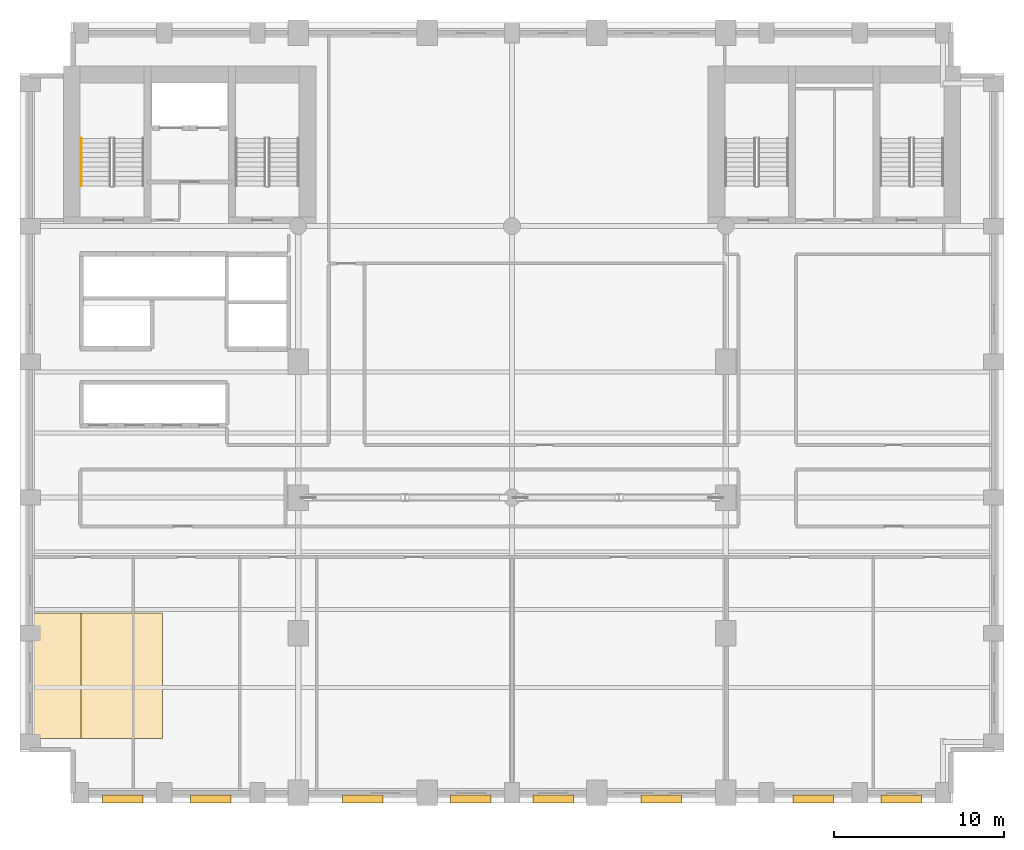
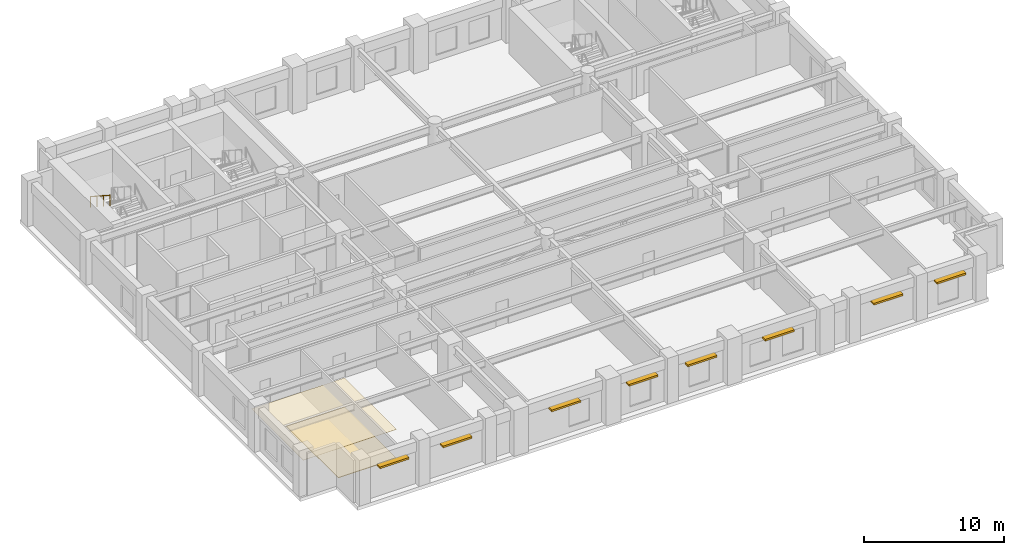
# One storey, part 9 of 11: 8 shading devices, 2 coverings, 1 railing.
"""IFC4 building model written with IfcOpenShell, lengths in metres."""

import ifcopenshell
import ifcopenshell.guid

model = None  # the IFC model being written
_history = None  # IfcOwnerHistory: only IFC2X3 demands one
_inside = {}  # id of a spatial element -> (the spatial element, [elements in it])
_under = {}  # id of a project, library or spatial element -> (it, [spatial elements below it])
_declared = {}  # id of a project -> (the project, [libraries it declares])
_typed = {}  # id of a type object -> (the type object, [elements of that type])
_made_of = {}  # id of a material, layer set ... -> (it, [elements and type objects made of it])


def new_model(schema):
    """Start an empty IFC model of exactly this schema.

    Asked for "IFC4X3", IfcOpenShell would pick the latest addendum, in which some entities
    have other attributes; the version numbers below select the first issue.
    IFC2X3 requires an IfcOwnerHistory on every rooted entity: one is made here for all.
    """
    global model, _history
    if schema == "IFC4X3":
        model = ifcopenshell.file(schema_version=(4, 3, 0, 0))
    else:
        model = ifcopenshell.file(schema=schema)
    _inside.clear()
    _under.clear()
    _declared.clear()
    _typed.clear()
    _made_of.clear()
    _history = None
    if model.schema == "IFC2X3":
        org = make("IfcOrganization", Name="unknown")
        user = make(
            "IfcPersonAndOrganization",
            ThePerson=make("IfcPerson", FamilyName="unknown"),
            TheOrganization=org,
        )
        app = make(
            "IfcApplication",
            ApplicationDeveloper=org,
            Version="unknown",
            ApplicationFullName="unknown",
            ApplicationIdentifier="unknown",
        )
        _history = make(
            "IfcOwnerHistory",
            OwningUser=user,
            OwningApplication=app,
            ChangeAction="ADDED",
            CreationDate=0,
        )
    return model


def make(cls, **values):
    """One entity of the class cls with the attributes given. An attribute that is None is left unset."""
    return model.create_entity(
        cls, **{name: value for name, value in values.items() if value is not None}
    )


def rooted(cls, **values):
    """An entity with a GlobalId (a new one), such as an element, a storey or a relation."""
    return make(cls, GlobalId=ifcopenshell.guid.new(), OwnerHistory=_history, **values)


def si_unit(unit_type, name, prefix=None):
    """IfcSIUnit, for example si_unit("LENGTHUNIT", "METRE", prefix="MILLI")."""
    return make("IfcSIUnit", UnitType=unit_type, Prefix=prefix, Name=name)


def assignment(units):
    """IfcUnitAssignment: the units of a project."""
    return None if units is None else make("IfcUnitAssignment", Units=units)


def point(xyz):
    """IfcCartesianPoint."""
    return None if xyz is None else make("IfcCartesianPoint", Coordinates=xyz)


def direction(xyz):
    """IfcDirection."""
    return None if xyz is None else make("IfcDirection", DirectionRatios=xyz)


def frame(location, z_axis=None, x_axis=None):
    """IfcAxis2Placement3D, a coordinate frame: its origin and axes. An axis left out is left unset."""
    return make(
        "IfcAxis2Placement3D",
        Location=point(location),
        Axis=direction(z_axis),
        RefDirection=direction(x_axis),
    )


def frame_2d(location, x_axis=None):
    """IfcAxis2Placement2D, a coordinate frame in the plane: its origin and x axis."""
    return make(
        "IfcAxis2Placement2D", Location=point(location), RefDirection=direction(x_axis)
    )


def origin():
    """The frame at (0, 0, 0) with its axes left unset."""
    return frame((0.0, 0.0, 0.0))


def origin_2d():
    """The frame at (0, 0) in the plane with its x axis left unset."""
    return frame_2d((0.0, 0.0))


def place(relative_to, where):
    """IfcLocalPlacement: puts the frame where relative to a parent placement (None: the world)."""
    return make(
        "IfcLocalPlacement", PlacementRelTo=relative_to, RelativePlacement=where
    )


def context(
    kind, dimensions, precision=None, world=None, true_north=None, identifier=None
):
    """IfcGeometricRepresentationContext, for example the 3D "Model" context."""
    return make(
        "IfcGeometricRepresentationContext",
        ContextIdentifier=identifier,
        ContextType=kind,
        CoordinateSpaceDimension=dimensions,
        Precision=precision,
        WorldCoordinateSystem=world,
        TrueNorth=true_north,
    )


def subcontext(parent, identifier, kind, view, scale=None):
    """IfcGeometricRepresentationSubContext, for example "Body" below "Model"."""
    return make(
        "IfcGeometricRepresentationSubContext",
        ContextIdentifier=identifier,
        ContextType=kind,
        ParentContext=parent,
        TargetScale=scale,
        TargetView=view,
    )


def project(units=None, contexts=None):
    """IfcProject with its units and contexts."""
    return rooted(
        "IfcProject",
        Name="project",
        RepresentationContexts=contexts,
        UnitsInContext=assignment(units),
    )


def spatial(cls, under=None, at=None, **own):
    """A site, building, storey or space (cls), placed at a placement, below another one or the project."""
    s = rooted(cls, ObjectPlacement=at, **own)
    if under is not None:
        _under.setdefault(under.id(), (under, []))[1].append(s)
    return s


def polyline(points):
    """IfcPolyline through the points."""
    return make("IfcPolyline", Points=[point(p) for p in points])


def profile(cls, at=None, kind="AREA", **sizes):
    """A parametric profile (cls). Its sizes go by their IFC names, for example OverallWidth=200.0."""
    return make(cls, ProfileType=kind, Position=at, **sizes)


def rectangle(**sizes):
    """IfcRectangleProfileDef."""
    return profile("IfcRectangleProfileDef", **sizes)


def circle(**sizes):
    """IfcCircleProfileDef."""
    return profile("IfcCircleProfileDef", **sizes)


def outline(outer, holes=None, kind="AREA"):
    """IfcArbitraryClosedProfileDef: a profile drawn as a closed curve; with holes, ...WithVoids."""
    if holes is None:
        return make("IfcArbitraryClosedProfileDef", ProfileType=kind, OuterCurve=outer)
    return make(
        "IfcArbitraryProfileDefWithVoids",
        ProfileType=kind,
        OuterCurve=outer,
        InnerCurves=holes,
    )


def extrude(swept, where, along, depth):
    """IfcExtrudedAreaSolid: the profile swept, set in the frame where, extruded along a direction by depth."""
    return make(
        "IfcExtrudedAreaSolid",
        SweptArea=swept,
        Position=where,
        ExtrudedDirection=direction(along),
        Depth=depth,
    )


def shape(context_of_items, identifier, shape_type, items):
    """IfcShapeRepresentation: the items that make up one representation, for example the "Body"."""
    return make(
        "IfcShapeRepresentation",
        ContextOfItems=context_of_items,
        RepresentationIdentifier=identifier,
        RepresentationType=shape_type,
        Items=items,
    )


def material(Name=None, Category=None):
    """IfcMaterial."""
    return make("IfcMaterial", Name=Name, Category=Category)


def layer(
    of_material, thickness, ventilated=None, Name=None, Category=None, Priority=None
):
    """IfcMaterialLayer: one layer of a wall or slab, of a material (None: an air gap)."""
    return make(
        "IfcMaterialLayer",
        Material=of_material,
        LayerThickness=thickness,
        IsVentilated=ventilated,
        Name=Name,
        Category=Category,
        Priority=Priority,
    )


def layer_set(layers, Name=None):
    """IfcMaterialLayerSet."""
    return make("IfcMaterialLayerSet", MaterialLayers=layers, LayerSetName=Name)


def made_of(thing, what):
    """Note that an element or type object is made of a material, layer set ...; save() writes the relation."""
    if what is not None:
        _made_of.setdefault(what.id(), (what, []))[1].append(thing)
    return thing


def type_object(cls, material=None, **own):
    """A type object (cls), such as IfcWallType, which elements share."""
    return made_of(rooted(cls, **own), material)


def element(
    cls,
    number,
    at=None,
    inside=None,
    cuts=None,
    type_object=None,
    material=None,
    context=None,
    identifier="Body",
    shape_type=None,
    held_by="IfcProductDefinitionShape",
    body=None,
    shapes=None,
    **own,
):
    """One element of the class cls, such as IfcWall. Its Tag is "e" and its number.

    at: its placement. inside: the storey or other place that contains it. cuts: it is an
    opening in that element (IfcRelVoidsElement). A single representation is given by context,
    identifier, shape_type and body (its items); several are given by shapes. held_by: the class
    of the entity that holds the representations. save() writes the other relations.
    """
    e = rooted(cls, Tag="e%d" % number, ObjectPlacement=at, **own)
    if body is not None:
        shapes = [shape(context, identifier, shape_type, body)]
    if shapes is not None:
        e.Representation = make(held_by, Representations=shapes)
    if inside is not None:
        _inside.setdefault(inside.id(), (inside, []))[1].append(e)
    if cuts is not None:
        rooted(
            "IfcRelVoidsElement", RelatingBuildingElement=cuts, RelatedOpeningElement=e
        )
    if type_object is not None:
        _typed.setdefault(type_object.id(), (type_object, []))[1].append(e)
    return made_of(e, material)


def aggregate(whole, parts):
    """IfcRelAggregates: a whole, such as a stair, and the parts it consists of."""
    return rooted("IfcRelAggregates", RelatingObject=whole, RelatedObjects=parts)


def save(model, path):
    """Write the relations noted so far, then the file.

    IfcRelAggregates (storeys below a building ...), IfcRelContainedInSpatialStructure (elements
    in a storey), IfcRelDefinesByType, IfcRelAssociatesMaterial and IfcRelDeclares: one each for
    every whole, place, type object, material and project.
    """
    for whole, parts in _under.values():
        aggregate(whole, parts)
    for where, things in _inside.values():
        rooted(
            "IfcRelContainedInSpatialStructure",
            RelatedElements=things,
            RelatingStructure=where,
        )
    for kind, things in _typed.values():
        rooted("IfcRelDefinesByType", RelatedObjects=things, RelatingType=kind)
    for what, things in _made_of.values():
        rooted("IfcRelAssociatesMaterial", RelatedObjects=things, RelatingMaterial=what)
    for by, libraries in _declared.values():
        rooted("IfcRelDeclares", RelatingContext=by, RelatedDefinitions=libraries)
    model.write(path)


model = new_model("IFC4")

# Units and contexts
model_context = context("Model", 3, precision=1e-05, world=origin(), true_north=direction((0.0, 1.0)))
body_context = subcontext(model_context, "Body", "Model", "MODEL_VIEW")
ifc_project = project(units=[si_unit("LENGTHUNIT", "METRE"), si_unit("AREAUNIT", "SQUARE_METRE"), si_unit("VOLUMEUNIT", "CUBIC_METRE"), si_unit("PLANEANGLEUNIT", "RADIAN"), si_unit("MASSUNIT", "GRAM", prefix="KILO")], contexts=[model_context])

# Site, building, storey
site_placement = place(None, origin())
site = spatial("IfcSite", under=ifc_project, at=site_placement, CompositionType="ELEMENT")
building_placement = place(site_placement, origin())
building = spatial("IfcBuilding", under=site, at=building_placement, Name="Sulina Concourse Tower", CompositionType="ELEMENT")
storey_placement = place(building_placement, frame((0.0, 0.0, 46.60009765625)))
storey = spatial("IfcBuildingStorey", under=building, at=storey_placement, Name="L11", CompositionType="ELEMENT", Elevation=46.60009765625)

# Shading devices
ifc_material_1 = material(Name="Precast concrete C50/60", Category="concrete")
shading_device_type = type_object("IfcShadingDeviceType", Name="Brutalist Precast Horizontal Sunshade Fin", PredefinedType="USERDEFINED", material=ifc_material_1)
for number, where, z_axis, x_axis, name in (
    (1, (6.050048828125, 0.235107421875, 2.669921875), (0.0, 0.0, 1.0), (1.0, 0.0, 0.0), "L11 precast solar sunshade S1"),
    (2, (11.25, 0.235107421875, 2.669921875), (0.0, 0.0, 1.0), (1.0, 0.0, 0.0), "L11 precast solar sunshade S2"),
    (3, (20.199951171875, 0.235107421875, 2.669921875), (0.0, 0.0, 1.0), (1.0, 0.0, 0.0), "L11 precast solar sunshade S4"),
    (4, (26.574951171875, 0.235107421875, 2.669921875), (0.0, 0.0, 1.0), (1.0, 0.0, 0.0), "L11 precast solar sunshade S5"),
    (5, (31.425048828125, 0.235107421875, 2.669921875), (0.0, 0.0, 1.0), (1.0, 0.0, 0.0), "L11 precast solar sunshade S6"),
    (6, (37.800048828125, 0.235107421875, 2.669921875), (0.0, 0.0, 1.0), (1.0, 0.0, 0.0), "L11 precast solar sunshade S7"),
    (7, (46.75, 0.235107421875, 2.669921875), (0.0, 0.0, 1.0), (1.0, 0.0, 0.0), "L11 precast solar sunshade S9"),
    (8, (51.949951171875, 0.235107421875, 2.669921875), (0.0, 0.0, 1.0), (1.0, 0.0, 0.0), "L11 precast solar sunshade S10"),
):
    element("IfcShadingDevice", number, at=place(storey_placement, frame(where, z_axis=z_axis, x_axis=x_axis)), inside=storey, type_object=shading_device_type, Name=name, ObjectType="SUNSHADE", PredefinedType="USERDEFINED", context=body_context, shape_type="SweptSolid", body=[
        extrude(rectangle(XDim=2.39990234375, YDim=0.449951171875, at=origin_2d()), origin(), (0.0, 0.0, 1.0), 0.159912109375),
    ])

# Covering
ifc_material_2 = material(Name="Polished granite flooring", Category="masonry")
ifc_layer_1 = layer(ifc_material_2, 0.044921875)
ifc_layer_set_1 = layer_set([ifc_layer_1], Name="Polished granite flooring")
covering_type_1 = type_object("IfcCoveringType", Name="Polished Granite & Raised Access Flooring 45mm", PredefinedType="FLOORING", material=ifc_layer_set_1)
covering_1_placement = place(storey_placement, origin())
element("IfcCovering", 9, at=covering_1_placement, inside=storey, type_object=covering_type_1, Name="L11 raised access floor finish", PredefinedType="FLOORING", context=body_context, shape_type="SweptSolid", body=[
    extrude(outline(polyline([(3.60009765625, 3.800048828125), (8.39990234375, 3.800048828125), (8.39990234375, 11.199951171875), (3.60009765625, 11.199951171875), (3.60009765625, 3.800048828125)])), origin(), (0.0, 0.0, 1.0), 0.044921875),
])

# Railing
ifc_material_3 = material(Name="Galvanised steel railing", Category="steel")
railing_type = type_object("IfcRailingType", Name="Stair Wall Steel Handrail 920mm", PredefinedType="HANDRAIL", material=ifc_material_3)
railing_placement = place(storey_placement, frame((3.60498046875, 39.175048828125, 2.181640625)))
element("IfcRailing", 10, at=railing_placement, inside=storey, type_object=railing_type, Name="L11 ST-1 stair handrail 2", PredefinedType="HANDRAIL", context=body_context, shape_type="SweptSolid", body=[
    extrude(circle(Radius=0.02392578125, at=origin_2d()), frame((0.0, 0.0, 0.89599609375), z_axis=(0.0, -0.838672427954, 0.544636170843), x_axis=(1.0, 0.0, 0.0)), (0.0, 0.0, 1.0), 3.338623046875),
    extrude(circle(Radius=0.02099609375, at=origin_2d()), origin(), (0.0, 0.0, 1.0), 0.871826171875),
    extrude(circle(Radius=0.02099609375, at=origin_2d()), frame((0.0, -0.933349609375, 0.606201171875)), (0.0, 0.0, 1.0), 0.871826171875),
    extrude(circle(Radius=0.02099609375, at=origin_2d()), frame((0.0, -1.86669921875, 1.212158203125)), (0.0, 0.0, 1.0), 0.871826171875),
    extrude(circle(Radius=0.02099609375, at=origin_2d()), frame((0.0, -2.800048828125, 1.818359375)), (0.0, 0.0, 1.0), 0.871826171875),
])

# Covering
ifc_material_4 = material(Name="Acoustic mineral ceiling board")
ifc_layer_2 = layer(ifc_material_4, 0.02490234375)
ifc_layer_set_2 = layer_set([ifc_layer_2], Name="Acoustic mineral ceiling board")
covering_type_2 = type_object("IfcCoveringType", Name="Suspended Acoustic Mineral Ceiling 25mm", PredefinedType="CEILING", material=ifc_layer_set_2)
covering_2_placement = place(storey_placement, frame((0.0, 0.0, 2.5498046875)))
element("IfcCovering", 11, at=covering_2_placement, inside=storey, type_object=covering_type_2, Name="L11 suspended acoustic tile ceiling", PredefinedType="CEILING", context=body_context, shape_type="SweptSolid", body=[
    extrude(outline(polyline([(0.719970703125, 3.800048828125), (8.39990234375, 3.800048828125), (8.39990234375, 11.199951171875), (0.719970703125, 11.199951171875), (0.719970703125, 3.800048828125)])), origin(), (0.0, 0.0, 1.0), 0.025146484375),
])

save(model, "model.ifc")
